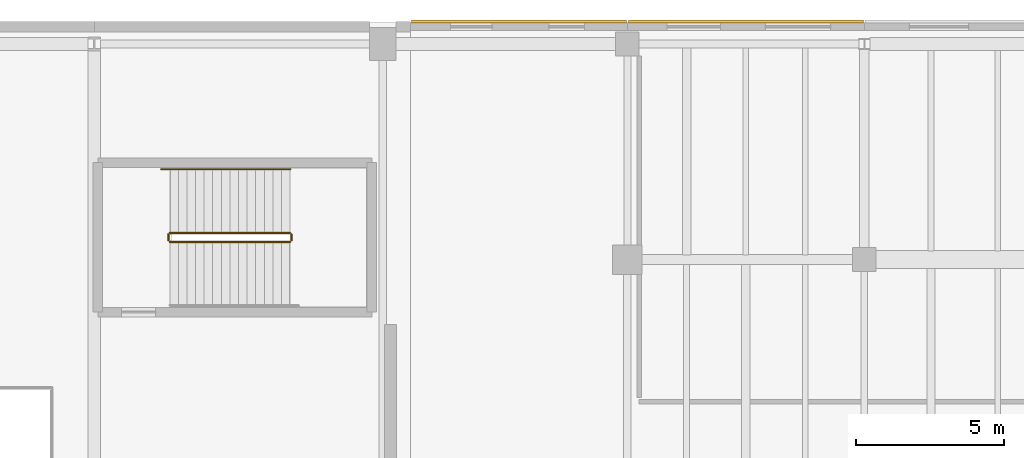
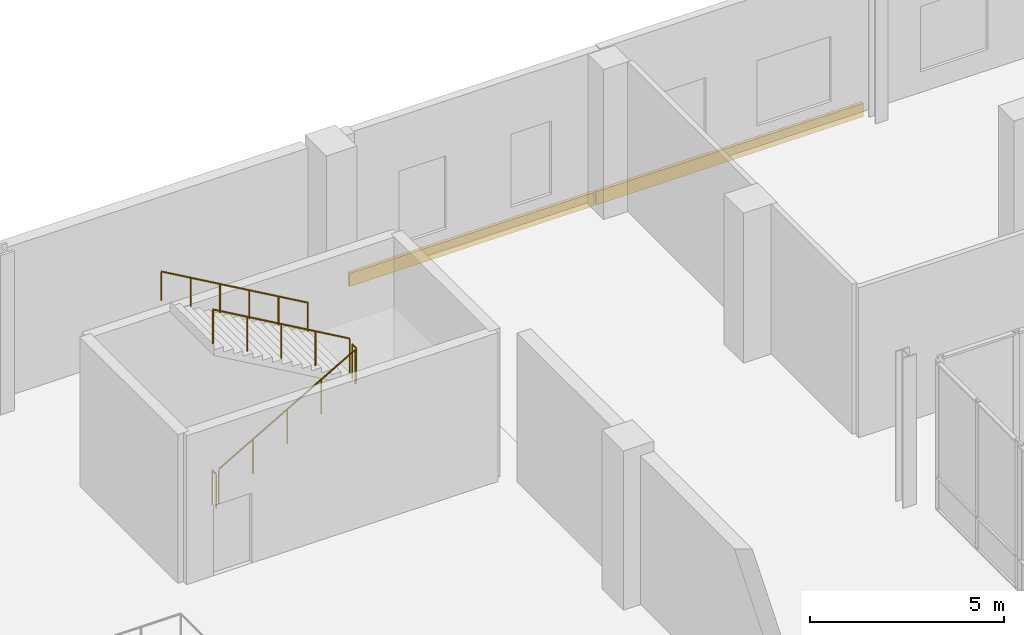
# One storey, part 71 of 73: 5 railings, 2 coverings.
"""IFC4 building model written with IfcOpenShell, lengths in metres."""

from ifc_helpers import new_model, si_unit, direction, frame, origin, origin_2d, place, context, subcontext, project, spatial, rectangle, circle, extrude, material, layer, layer_set, type_object, element, save


model = new_model("IFC4")

# Units and contexts
model_context = context("Model", 3, precision=1e-05, world=origin(), true_north=direction((0.0, 1.0)))
body_context = subcontext(model_context, "Body", "Model", "MODEL_VIEW")
ifc_project = project(units=[si_unit("LENGTHUNIT", "METRE"), si_unit("AREAUNIT", "SQUARE_METRE"), si_unit("VOLUMEUNIT", "CUBIC_METRE"), si_unit("PLANEANGLEUNIT", "RADIAN"), si_unit("MASSUNIT", "GRAM", prefix="KILO")], contexts=[model_context])

# Site, building, storey
site_placement = place(None, origin())
site = spatial("IfcSite", under=ifc_project, at=site_placement, CompositionType="ELEMENT")
building_placement = place(site_placement, origin())
building = spatial("IfcBuilding", under=site, at=building_placement, Name="Trimount Lyric Opera House", CompositionType="ELEMENT")
storey_placement = place(building_placement, frame((0.0, 0.0, 10.0)))
storey = spatial("IfcBuildingStorey", under=building, at=storey_placement, Name="L02", CompositionType="ELEMENT", Elevation=10.0)

# Coverings
ifc_material_1 = material(Name="Architectural Precast Concrete Spandrel Band", Category="concrete")
ifc_layer = layer(ifc_material_1, 0.094970703125)
ifc_layer_set = layer_set([ifc_layer], Name="CLD-WING1")
covering_type = type_object("IfcCoveringType", Name="CLD-WING1", PredefinedType="CLADDING", material=ifc_layer_set)
covering_1_placement = place(storey_placement, frame((118.340087890625, 118.04150390625, -0.369873046875), z_axis=(0.0, 0.0, 1.0), x_axis=(1.0, 0.0, 0.0)))
element("IfcCovering", 1, at=covering_1_placement, inside=storey, type_object=covering_type, Name="L02 precast slab-edge spandrel 216", PredefinedType="CLADDING", context=body_context, shape_type="SweptSolid", body=[
    extrude(rectangle(XDim=7.260009765625, YDim=0.094970703125, at=origin_2d()), origin(), (0.0, 0.0, 1.0), 0.419921875),
])
covering_2_placement = place(storey_placement, frame((126.0, 118.04150390625, -0.369873046875), z_axis=(0.0, 0.0, 1.0), x_axis=(1.0, 0.0, 0.0)))
element("IfcCovering", 2, at=covering_2_placement, inside=storey, type_object=covering_type, Name="L02 precast slab-edge spandrel 217", PredefinedType="CLADDING", context=body_context, shape_type="SweptSolid", body=[
    extrude(rectangle(XDim=7.93994140625, YDim=0.094970703125, at=origin_2d()), origin(), (0.0, 0.0, 1.0), 0.419921875),
])

# Railings
ifc_material_2 = material(Name="Brushed Stainless Steel 316", Category="steel")
railing_type_1 = type_object("IfcRailingType", Name="RL-GRD110", PredefinedType="GUARDRAIL", material=ifc_material_2)
railing_1_placement = place(storey_placement, frame((106.550048828125, 110.60009765625, 0.166748046875)))
element("IfcRailing", 3, at=railing_1_placement, inside=storey, type_object=railing_type_1, Name="L02 ST-02 stair guard 1", PredefinedType="GUARDRAIL", context=body_context, shape_type="SweptSolid", body=[
    extrude(circle(Radius=0.02392578125, at=origin_2d()), frame((0.0, 0.0, 1.076171875), z_axis=(0.867024558463, 0.0, 0.498265406207), x_axis=(0.0, 1.0, 0.0)), (0.0, 0.0, 1.0), 4.682861328125),
    extrude(circle(Radius=0.02099609375, at=origin_2d()), origin(), (0.0, 0.0, 1.0), 1.052001953125),
    extrude(circle(Radius=0.02099609375, at=origin_2d()), frame((1.01513671875, 0.0, 0.583251953125)), (0.0, 0.0, 1.0), 1.052001953125),
    extrude(circle(Radius=0.02099609375, at=origin_2d()), frame((2.030029296875, 0.0, 1.16650390625)), (0.0, 0.0, 1.0), 1.052001953125),
    extrude(circle(Radius=0.02099609375, at=origin_2d()), frame((3.044921875, 0.0, 1.75)), (0.0, 0.0, 1.0), 1.052001953125),
    extrude(circle(Radius=0.02099609375, at=origin_2d()), frame((4.06005859375, 0.0, 2.333251953125)), (0.0, 0.0, 1.0), 1.052001953125),
])
railing_2_placement = place(storey_placement, frame((110.659912109375, 110.64990234375, 2.5)))
element("IfcRailing", 4, at=railing_2_placement, inside=storey, type_object=railing_type_1, Name="L02 ST-02 stair guard 2", PredefinedType="GUARDRAIL", context=body_context, shape_type="SweptSolid", body=[
    extrude(circle(Radius=0.02392578125, at=origin_2d()), frame((0.0, 0.0, 1.076171875), z_axis=(0.0, 1.0, 0.0), x_axis=(-1.0, 0.0, 0.0)), (0.0, 0.0, 1.0), 0.2001953125),
    extrude(circle(Radius=0.02099609375, at=origin_2d()), origin(), (0.0, 0.0, 1.0), 1.052001953125),
    extrude(circle(Radius=0.02099609375, at=origin_2d()), frame((0.0, 0.2001953125, 0.0)), (0.0, 0.0, 1.0), 1.052001953125),
])
railing_3_placement = place(storey_placement, frame((110.610107421875, 110.89990234375, 2.666748046875)))
element("IfcRailing", 5, at=railing_3_placement, inside=storey, type_object=railing_type_1, Name="L02 ST-02 stair guard 3", PredefinedType="GUARDRAIL", context=body_context, shape_type="SweptSolid", body=[
    extrude(circle(Radius=0.02392578125, at=origin_2d()), frame((0.0, 0.0, 1.076171875), z_axis=(-0.867024558463, 0.0, 0.498265406207), x_axis=(0.0, -1.0, 0.0)), (0.0, 0.0, 1.0), 4.682861328125),
    extrude(circle(Radius=0.02099609375, at=origin_2d()), origin(), (0.0, 0.0, 1.0), 1.052001953125),
    extrude(circle(Radius=0.02099609375, at=origin_2d()), frame((-1.01513671875, 0.0, 0.583251953125)), (0.0, 0.0, 1.0), 1.052001953125),
    extrude(circle(Radius=0.02099609375, at=origin_2d()), frame((-2.030029296875, 0.0, 1.16650390625)), (0.0, 0.0, 1.0), 1.052001953125),
    extrude(circle(Radius=0.02099609375, at=origin_2d()), frame((-3.044921875, 0.0, 1.75)), (0.0, 0.0, 1.0), 1.052001953125),
    extrude(circle(Radius=0.02099609375, at=origin_2d()), frame((-4.06005859375, 0.0, 2.333251953125)), (0.0, 0.0, 1.0), 1.052001953125),
])
railing_4_placement = place(storey_placement, frame((106.5, 110.64990234375, 0.0)))
element("IfcRailing", 6, at=railing_4_placement, inside=storey, type_object=railing_type_1, Name="L02 ST-02 stair guard 4", PredefinedType="GUARDRAIL", context=body_context, shape_type="SweptSolid", body=[
    extrude(circle(Radius=0.02392578125, at=origin_2d()), frame((0.0, 0.0, 1.076171875), z_axis=(0.0, 1.0, 0.0), x_axis=(-1.0, 0.0, 0.0)), (0.0, 0.0, 1.0), 0.2001953125),
    extrude(circle(Radius=0.02099609375, at=origin_2d()), origin(), (0.0, 0.0, 1.0), 1.052001953125),
    extrude(circle(Radius=0.02099609375, at=origin_2d()), frame((0.0, 0.2001953125, 0.0)), (0.0, 0.0, 1.0), 1.052001953125),
])
ifc_material_3 = material(Name="Brushed Stainless Steel 316", Category="steel")
railing_type_2 = type_object("IfcRailingType", Name="RL-HND092", PredefinedType="HANDRAIL", material=ifc_material_3)
railing_5_placement = place(storey_placement, frame((110.610107421875, 113.050048828125, 2.666748046875)))
element("IfcRailing", 7, at=railing_5_placement, inside=storey, type_object=railing_type_2, Name="L02 ST-02 stair handrail 2", PredefinedType="HANDRAIL", context=body_context, shape_type="SweptSolid", body=[
    extrude(circle(Radius=0.0224609375, at=origin_2d()), frame((0.0, 0.0, 0.8974609375), z_axis=(-0.866766478692, 0.0, 0.498714218181), x_axis=(0.0, -1.0, 0.0)), (0.0, 0.0, 1.0), 5.018798828125),
    extrude(circle(Radius=0.02099609375, at=origin_2d()), origin(), (0.0, 0.0, 1.0), 0.875),
    extrude(circle(Radius=0.02099609375, at=origin_2d()), frame((-0.8701171875, 0.0, 0.50048828125)), (0.0, 0.0, 1.0), 0.875),
    extrude(circle(Radius=0.02099609375, at=origin_2d()), frame((-1.739990234375, 0.0, 1.001220703125)), (0.0, 0.0, 1.0), 0.875),
    extrude(circle(Radius=0.02099609375, at=origin_2d()), frame((-2.610107421875, 0.0, 1.501708984375)), (0.0, 0.0, 1.0), 0.875),
    extrude(circle(Radius=0.02099609375, at=origin_2d()), frame((-3.47998046875, 0.0, 2.00244140625)), (0.0, 0.0, 1.0), 0.875),
    extrude(circle(Radius=0.02099609375, at=origin_2d()), frame((-4.35009765625, 0.0, 2.5029296875)), (0.0, 0.0, 1.0), 0.875),
])

save(model, "model.ifc")
